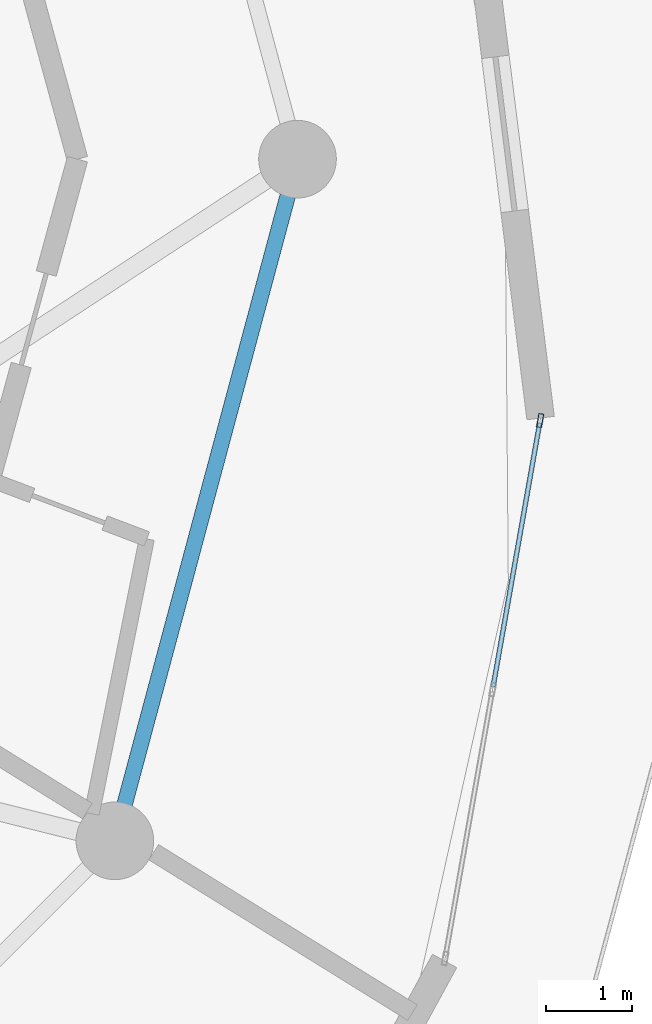
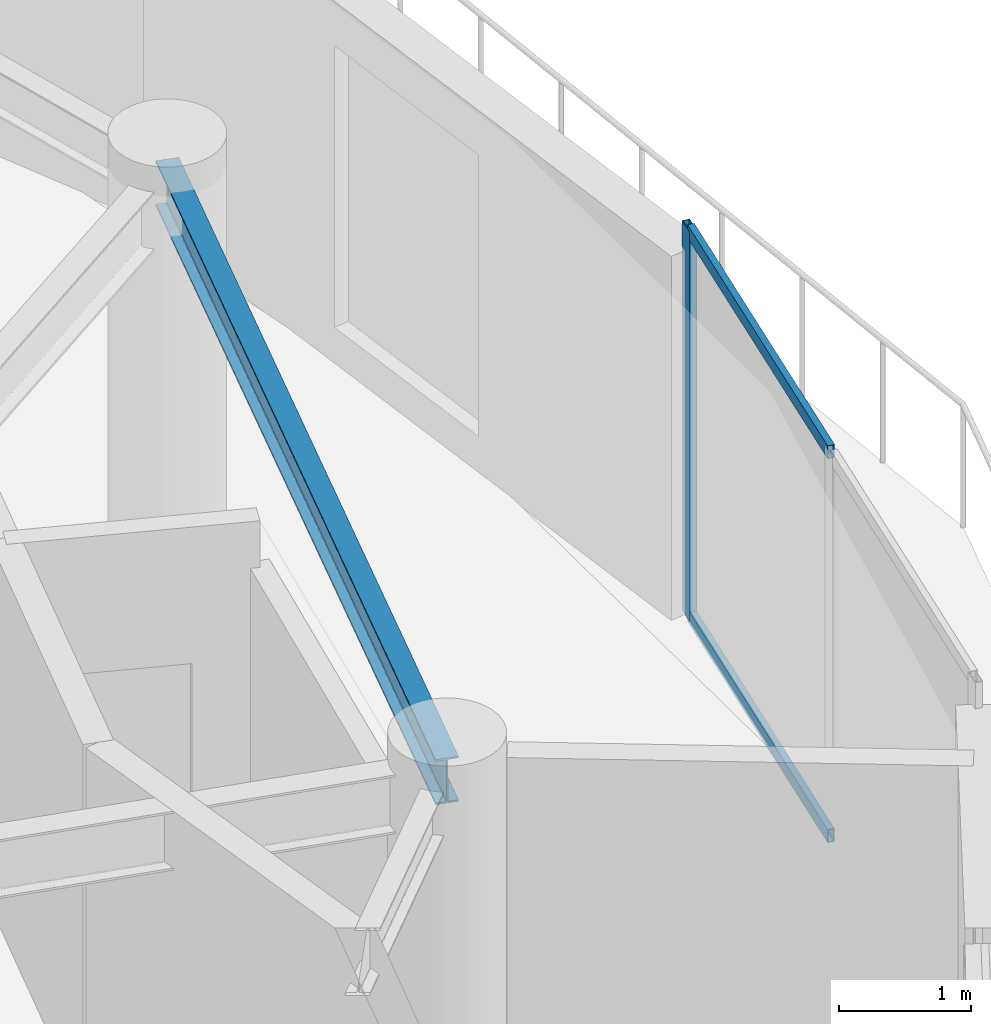
# One storey, part 7 of 18: 3 members, 1 beam, 1 element without a shape of its own.
"""IFC4 building model written with IfcOpenShell, lengths in metres."""

from ifc_helpers import new_model, si_unit, direction, frame, origin, origin_2d, place, context, subcontext, project, spatial, hollow_rectangle, i_section, extrude, source, transform, mapped, material, layer, layer_set, material_profile, profile_set, type_object, element, aggregate, save


model = new_model("IFC4")

# Units and contexts
model_context = context("Model", 3, precision=1e-05, world=origin(), true_north=direction((0.0, 1.0)))
body_context = subcontext(model_context, "Body", "Model", "MODEL_VIEW")
ifc_project = project(units=[si_unit("LENGTHUNIT", "METRE"), si_unit("AREAUNIT", "SQUARE_METRE"), si_unit("VOLUMEUNIT", "CUBIC_METRE"), si_unit("PLANEANGLEUNIT", "RADIAN"), si_unit("MASSUNIT", "GRAM", prefix="KILO")], contexts=[model_context])

# Site, building, storey
site_placement = place(None, origin())
site = spatial("IfcSite", under=ifc_project, at=site_placement, CompositionType="ELEMENT")
building_placement = place(site_placement, origin())
building = spatial("IfcBuilding", under=site, at=building_placement, Name="Solvirekh Grand Hotel", CompositionType="ELEMENT")
storey_placement = place(building_placement, frame((0.0, 0.0, 187.60009765625)))
storey = spatial("IfcBuildingStorey", under=building, at=storey_placement, Name="L48", CompositionType="ELEMENT", Elevation=187.60009765625)

# Beam
ifc_material_1 = material(Name="Steel S355", Category="steel")
ifc_material_profile_1 = material_profile(ifc_material_1, i_section(OverallWidth=0.180908203125, OverallDepth=0.4169921875, WebThickness=0.010009765625, FlangeThickness=0.01611328125, FilletRadius=0.011962890625, at=origin_2d()), Name="W410X85")
ifc_profile_set_1 = profile_set([ifc_material_profile_1], Name="Steel S355")
beam_type = type_object("IfcBeamType", Name="Spandrel_Ring_W410", PredefinedType="SPANDREL", material=ifc_profile_set_1)
beam_placement = place(storey_placement, frame((13.68310546875, -7.89990234375, 3.15185546875), z_axis=(0.258838541915, 0.965920601923, 0.0), x_axis=(-0.965920601923, 0.258838541915, 0.0)))
element("IfcBeam", 1, at=beam_placement, inside=storey, type_object=beam_type, Name="L48 perimeter spandrel beam 12", PredefinedType="SPANDREL", context=body_context, shape_type="SweptSolid", body=[
    extrude(i_section(OverallWidth=0.180908203125, OverallDepth=0.4169921875, WebThickness=0.010009765625, FlangeThickness=0.01611328125, FilletRadius=0.011962890625, at=origin_2d()), origin(), (0.0, 0.0, 1.0), 8.1787109375),
])

# Curtain wall, members
ifc_material_2 = material(Name="Anodized Bronze Aluminium 6063-T6", Category="aluminium")
ifc_layer = layer(ifc_material_2, 0.159912109375)
ifc_layer_set = layer_set([ifc_layer], Name="Anodized Bronze Aluminium 6063-T6")
curtain_wall_type = type_object("IfcCurtainWallType", Name="CW_Sys4_HighZoneFlushBronzeCW", PredefinedType="NOTDEFINED", material=ifc_layer_set)
curtain_wall_placement = place(storey_placement, origin())
curtain_wall = element("IfcCurtainWall", 2, at=curtain_wall_placement, inside=storey, type_object=curtain_wall_type, Name="L48 unitised bronze-glass curtain wall CW-L48-C03", PredefinedType="NOTDEFINED")
ifc_material_profile_2 = material_profile(ifc_material_2, hollow_rectangle(XDim=0.054931640625, YDim=0.1201171875, WallThickness=0.00390625, at=origin_2d()), Name="ALU RHS 120X55X4")
ifc_profile_set_2 = profile_set([ifc_material_profile_2], Name="Anodized Bronze Aluminium 6063-T6")
member_type_1 = type_object("IfcMemberType", Name="CWTransom_Sys4", PredefinedType="USERDEFINED", material=ifc_profile_set_2)
shared_shape_1 = source(origin(), body_context, "Body", "SweptSolid", [
    extrude(hollow_rectangle(XDim=0.054931640625, YDim=0.1201171875, WallThickness=0.00390625, at=origin_2d()), origin(), (0.0, 0.0, 1.0), 3.104736328125),
])
member_1_placement = place(storey_placement, frame((18.066162109375, -6.116455078125, 0.02734375), z_axis=(0.17401859439, 0.984742366717, 0.0), x_axis=(-0.984742366717, 0.17401859439, 0.0)))
member_1 = element("IfcMember", 3, at=member_1_placement, type_object=member_type_1, Name="U04 transom 2.1", ObjectType="TRANSOM", PredefinedType="USERDEFINED", context=body_context, shape_type="MappedRepresentation", body=[
    mapped(shared_shape_1, transform((0.0, 0.0, 0.0), x_axis=(1.0, 0.0, 0.0), y_axis=(0.0, 1.0, 0.0), z_axis=(0.0, 0.0, 1.0), scale=1.0)),
])
member_2_placement = place(storey_placement, frame((18.066162109375, -6.116455078125, 3.572509765625), z_axis=(0.17401859439, 0.984742366717, 0.0), x_axis=(-0.984742366717, 0.17401859439, 0.0)))
member_2 = element("IfcMember", 4, at=member_2_placement, type_object=member_type_1, Name="U04 transom 2.2", ObjectType="TRANSOM", PredefinedType="USERDEFINED", context=body_context, shape_type="MappedRepresentation", body=[
    mapped(shared_shape_1, transform((0.0, 0.0, 0.0), x_axis=(1.0, 0.0, 0.0), y_axis=(0.0, 1.0, 0.0), z_axis=(0.0, 0.0, 1.0), scale=1.0)),
])
ifc_material_profile_3 = material_profile(ifc_material_2, hollow_rectangle(XDim=0.06005859375, YDim=0.159912109375, WallThickness=0.0048828125, at=origin_2d()), Name="ALU RHS 160X60X5")
ifc_profile_set_3 = profile_set([ifc_material_profile_3], Name="Anodized Bronze Aluminium 6063-T6")
member_type_2 = type_object("IfcMemberType", Name="CWMullion_Sys4", PredefinedType="MULLION", material=ifc_profile_set_3)
shared_shape_2 = source(origin(), body_context, "Body", "SweptSolid", [
    extrude(hollow_rectangle(XDim=0.06005859375, YDim=0.159912109375, WallThickness=0.0048828125, at=origin_2d()), origin(), (0.0, 0.0, 1.0), 3.599853515625),
])
member_3_placement = place(storey_placement, frame((18.61181640625, -3.029541015625, 0.0), z_axis=(0.0, 0.0, 1.0), x_axis=(-0.984739411138, 0.174035318689, 0.0)))
member_3 = element("IfcMember", 5, at=member_3_placement, type_object=member_type_2, Name="U04 mullion 3", PredefinedType="MULLION", context=body_context, shape_type="MappedRepresentation", body=[
    mapped(shared_shape_2, transform((0.0, 0.0, 0.0), x_axis=(1.0, 0.0, 0.0), y_axis=(0.0, 1.0, 0.0), z_axis=(0.0, 0.0, 1.0), scale=1.0)),
])
aggregate(curtain_wall, [member_3, member_1, member_2])

save(model, "model.ifc")
